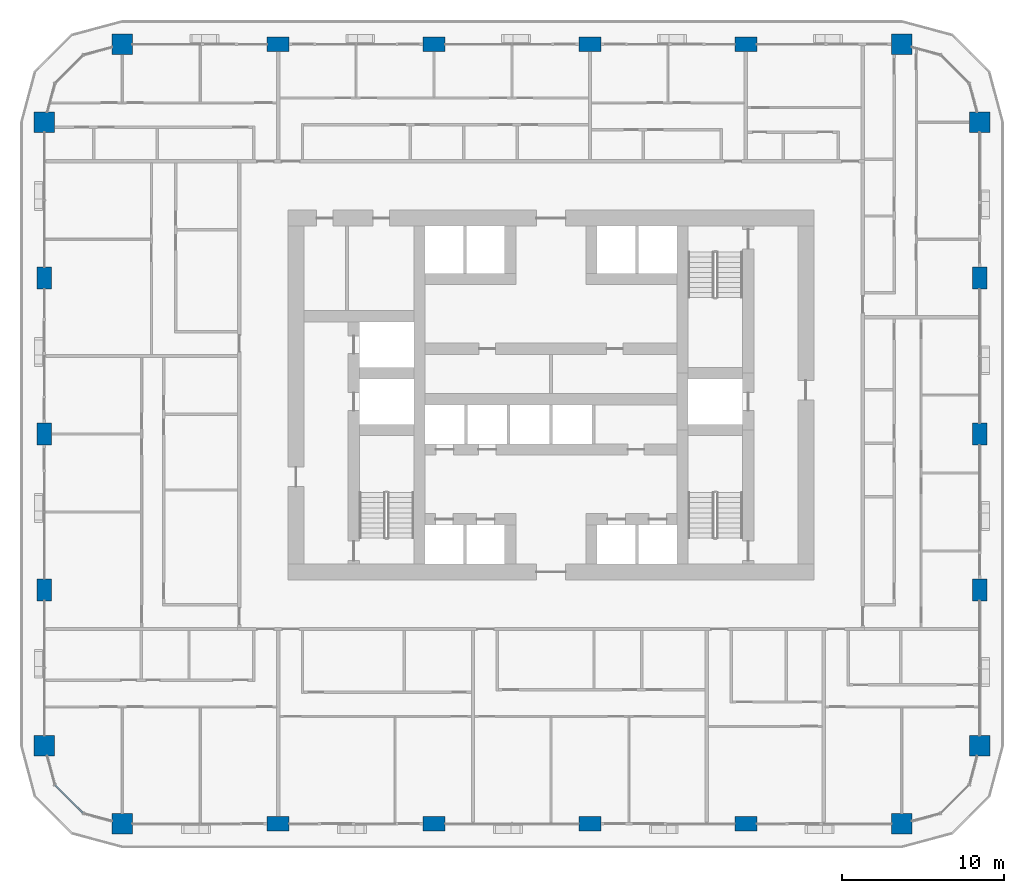
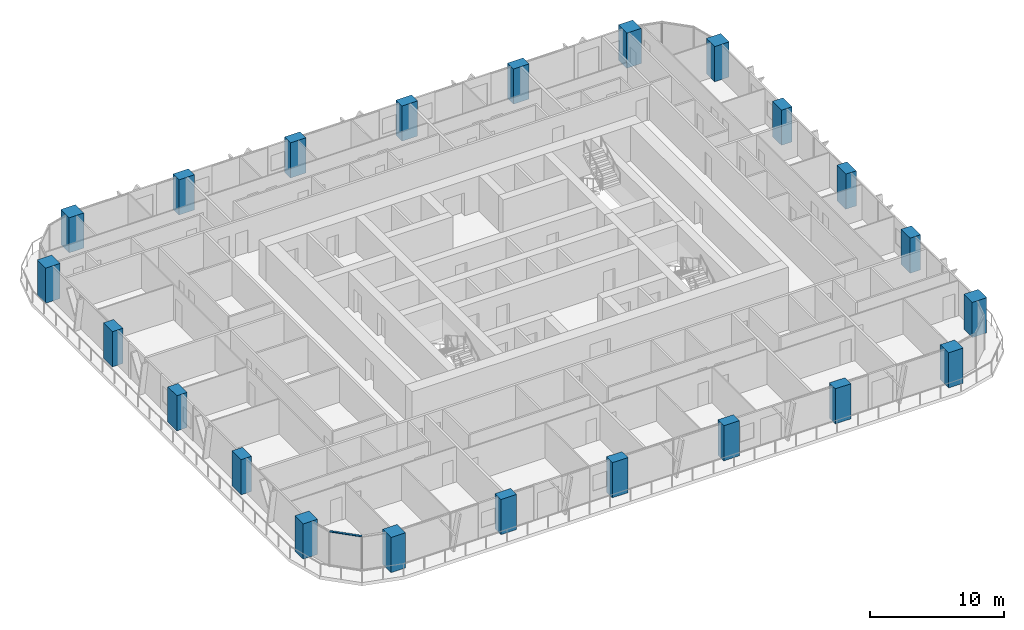
# One storey, part 1 of 21: 22 columns, 1 member, 1 element without a shape of its own.
"""IFC4 building model written with IfcOpenShell, lengths in metres."""

from ifc_helpers import new_model, si_unit, direction, frame, origin, origin_2d, place, context, subcontext, project, spatial, rectangle, extrude, material, layer, layer_set, material_profile, profile_set, type_object, element, aggregate, save


model = new_model("IFC4")

# Units and contexts
model_context = context("Model", 3, precision=1e-05, world=origin(), true_north=direction((0.0, 1.0)))
body_context = subcontext(model_context, "Body", "Model", "MODEL_VIEW")
ifc_project = project(units=[si_unit("LENGTHUNIT", "METRE"), si_unit("AREAUNIT", "SQUARE_METRE"), si_unit("VOLUMEUNIT", "CUBIC_METRE"), si_unit("PLANEANGLEUNIT", "RADIAN"), si_unit("MASSUNIT", "GRAM", prefix="KILO")], contexts=[model_context])

# Site, building, storey
site_placement = place(None, origin())
site = spatial("IfcSite", under=ifc_project, at=site_placement, CompositionType="ELEMENT")
building_placement = place(site_placement, origin())
building = spatial("IfcBuilding", under=site, at=building_placement, Name="Madar Terraces", CompositionType="ELEMENT")
storey_placement = place(building_placement, frame((0.0, 0.0, 29.39990234375)))
storey = spatial("IfcBuildingStorey", under=building, at=storey_placement, Name="L06", CompositionType="ELEMENT", Elevation=29.39990234375)

# Columns
ifc_material_1 = material(Name="Concrete C80/95", Category="concrete")
ifc_material_profile_1 = material_profile(ifc_material_1, rectangle(XDim=1.35009765625, YDim=0.89990234375, at=origin_2d()), Name="CC1 RC 1350x900")
ifc_profile_set_1 = profile_set([ifc_material_profile_1], Name="Concrete C80/95")
column_type_1 = type_object("IfcColumnType", Name="CC1 RC 1350x900", PredefinedType="COLUMN", material=ifc_profile_set_1)
for number, where, z_axis, x_axis, name in (
    (1, (14.39990234375, 0.0, 0.0), (0.0, 0.0, 1.0), (1.0, 0.0, 0.0), "Perimeter column S2"),
    (2, (24.0, 0.0, 0.0), (0.0, 0.0, 1.0), (1.0, 0.0, 0.0), "Perimeter column S3"),
    (3, (33.60009765625, 0.0, 0.0), (0.0, 0.0, 1.0), (1.0, 0.0, 0.0), "Perimeter column S4"),
    (4, (43.199951171875, 0.0, 0.0), (0.0, 0.0, 1.0), (1.0, 0.0, 0.0), "Perimeter column S5"),
    (5, (57.60009765625, 14.39990234375, 0.0), (0.0, 0.0, 1.0), (0.0, 1.0, 0.0), "Perimeter column E2"),
    (6, (57.60009765625, 24.0, 0.0), (0.0, 0.0, 1.0), (0.0, 1.0, 0.0), "Perimeter column E3"),
    (7, (57.60009765625, 33.60009765625, 0.0), (0.0, 0.0, 1.0), (0.0, 1.0, 0.0), "Perimeter column E4"),
    (8, (43.199951171875, 48.0, 0.0), (0.0, 0.0, 1.0), (1.0, 0.0, 0.0), "Perimeter column N2"),
    (9, (33.60009765625, 48.0, 0.0), (0.0, 0.0, 1.0), (1.0, 0.0, 0.0), "Perimeter column N3"),
    (10, (24.0, 48.0, 0.0), (0.0, 0.0, 1.0), (1.0, 0.0, 0.0), "Perimeter column N4"),
    (11, (14.39990234375, 48.0, 0.0), (0.0, 0.0, 1.0), (1.0, 0.0, 0.0), "Perimeter column N5"),
    (12, (0.0, 33.60009765625, 0.0), (0.0, 0.0, 1.0), (0.0, 1.0, 0.0), "Perimeter column W2"),
    (13, (0.0, 24.0, 0.0), (0.0, 0.0, 1.0), (0.0, 1.0, 0.0), "Perimeter column W3"),
    (14, (0.0, 14.39990234375, 0.0), (0.0, 0.0, 1.0), (0.0, 1.0, 0.0), "Perimeter column W4"),
):
    element("IfcColumn", number, at=place(storey_placement, frame(where, z_axis=z_axis, x_axis=x_axis)), inside=storey, type_object=column_type_1, Name=name, PredefinedType="COLUMN", context=body_context, shape_type="SweptSolid", body=[
        extrude(rectangle(XDim=1.35009765625, YDim=0.89990234375, at=origin_2d()), origin(), (0.0, 0.0, 1.0), 3.2001953125),
    ])
ifc_material_2 = material(Name="Concrete C80/95", Category="concrete")
ifc_material_profile_2 = material_profile(ifc_material_2, rectangle(XDim=1.25, YDim=1.25, at=origin_2d()), Name="KC1 RC 1250x1250")
ifc_profile_set_2 = profile_set([ifc_material_profile_2], Name="Concrete C80/95")
column_type_2 = type_object("IfcColumnType", Name="KC1 RC 1250x1250", PredefinedType="COLUMN", material=ifc_profile_set_2)
for number, where, z_axis, x_axis, name in (
    (15, (4.800048828125, 0.0, 0.0), (0.0, 0.0, 1.0), (1.0, 0.0, 0.0), "Perimeter column S1"),
    (16, (52.800048828125, 0.0, 0.0), (0.0, 0.0, 1.0), (1.0, 0.0, 0.0), "Perimeter column S6"),
    (17, (57.60009765625, 4.800048828125, 0.0), (0.0, 0.0, 1.0), (1.0, 0.0, 0.0), "Perimeter column E1"),
    (18, (57.60009765625, 43.199951171875, 0.0), (0.0, 0.0, 1.0), (1.0, 0.0, 0.0), "Perimeter column E5"),
    (19, (52.800048828125, 48.0, 0.0), (0.0, 0.0, 1.0), (1.0, 0.0, 0.0), "Perimeter column N1"),
    (20, (4.800048828125, 48.0, 0.0), (0.0, 0.0, 1.0), (1.0, 0.0, 0.0), "Perimeter column N6"),
    (21, (0.0, 43.199951171875, 0.0), (0.0, 0.0, 1.0), (1.0, 0.0, 0.0), "Perimeter column W1"),
    (22, (0.0, 4.800048828125, 0.0), (0.0, 0.0, 1.0), (1.0, 0.0, 0.0), "Perimeter column W5"),
):
    element("IfcColumn", number, at=place(storey_placement, frame(where, z_axis=z_axis, x_axis=x_axis)), inside=storey, type_object=column_type_2, Name=name, PredefinedType="COLUMN", context=body_context, shape_type="SweptSolid", body=[
        extrude(rectangle(XDim=1.25, YDim=1.25, at=origin_2d()), origin(), (0.0, 0.0, 1.0), 3.2001953125),
    ])

# Curtain wall, member
ifc_material_3 = material(Name="Glass, ceramic frit dark grey, with black aluminium frame", Category="aluminium")
ifc_layer = layer(ifc_material_3, 0.199951171875)
ifc_layer_set = layer_set([ifc_layer], Name="Facade curtain wall, fritted glass")
curtain_wall_type = type_object("IfcCurtainWallType", Name="Facade curtain wall, fritted glass", PredefinedType="NOTDEFINED", material=ifc_layer_set)
curtain_wall_placement = place(storey_placement, origin())
curtain_wall = element("IfcCurtainWall", 23, at=curtain_wall_placement, inside=storey, type_object=curtain_wall_type, Name="Outer skin curtain wall south-west corner", PredefinedType="NOTDEFINED")
ifc_material_4 = material(Name="Aluminium, black anodised", Category="aluminium")
ifc_material_profile_3 = material_profile(ifc_material_4, rectangle(XDim=0.1201171875, YDim=0.06005859375, at=origin_2d()), Name="Facade transom 60x120")
ifc_profile_set_3 = profile_set([ifc_material_profile_3], Name="Aluminium, black anodised")
member_type = type_object("IfcMemberType", Name="Facade transom 60x120", PredefinedType="USERDEFINED", material=ifc_profile_set_3)
member_placement = place(storey_placement, frame((0.664306640625, 2.37890625, 3.170166015625), z_axis=(0.707106781187, -0.707106781187, 0.0), x_axis=(0.707106781187, 0.707106781187, 0.0)))
member = element("IfcMember", 24, at=member_placement, type_object=member_type, Name="Transom 2", ObjectType="TRANSOM", PredefinedType="USERDEFINED", context=body_context, shape_type="SweptSolid", body=[
    extrude(rectangle(XDim=0.1201171875, YDim=0.06005859375, at=origin_2d()), origin(), (0.0, 0.0, 1.0), 2.4248046875),
])
aggregate(curtain_wall, [member])

save(model, "model.ifc")
